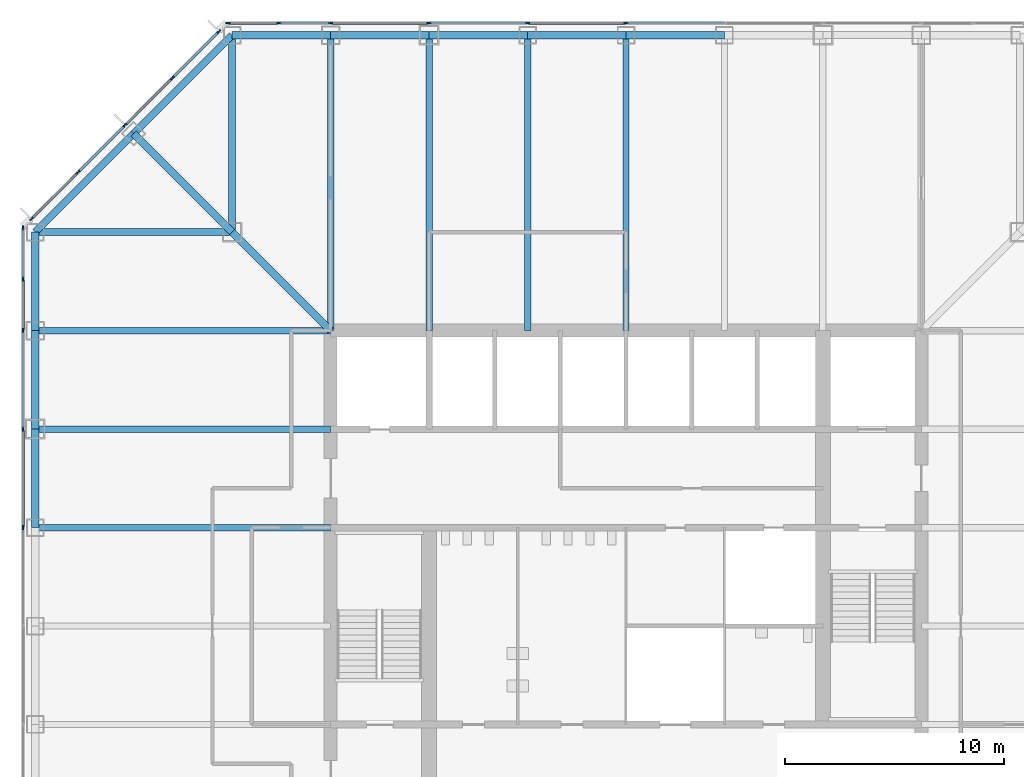
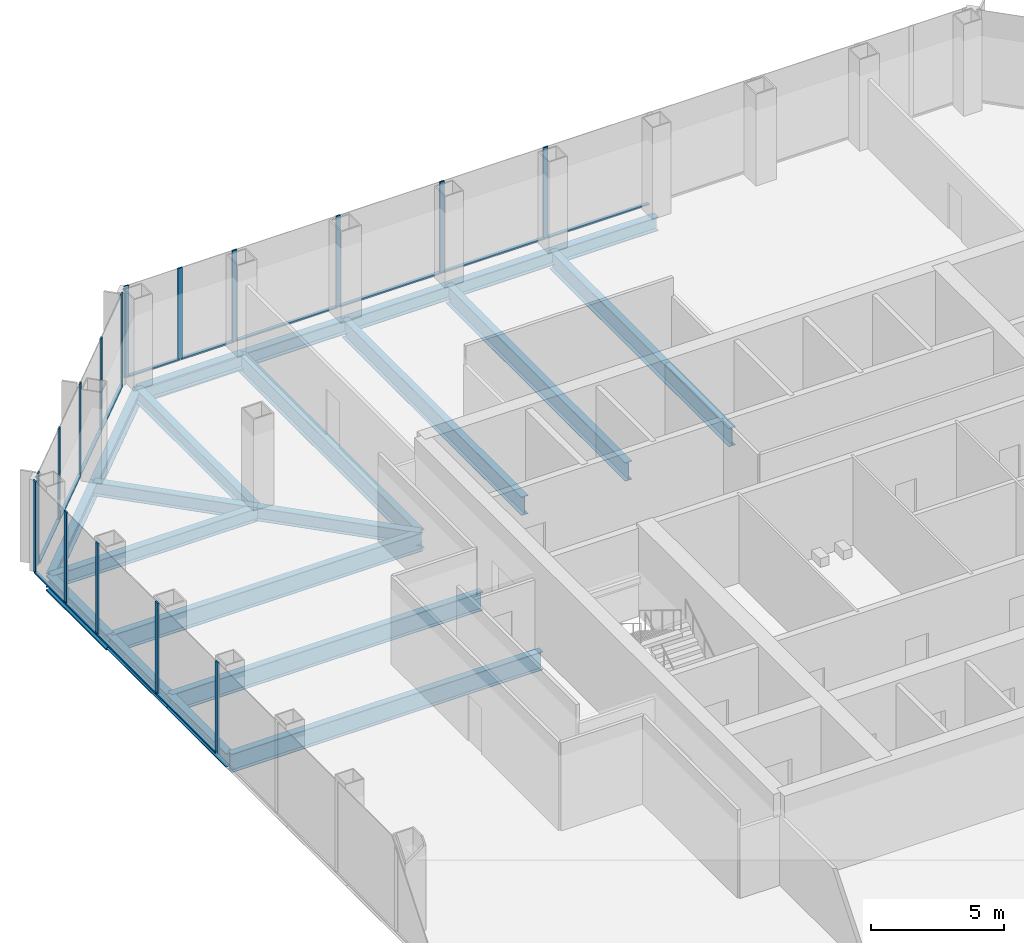
# One storey, part 5 of 12: 30 members, 21 beams, 3 elements without a shape of their own.
"""IFC4 building model written with IfcOpenShell, lengths in metres."""

import ifcopenshell
import ifcopenshell.guid

model = None  # the IFC model being written
_history = None  # IfcOwnerHistory: only IFC2X3 demands one
_inside = {}  # id of a spatial element -> (the spatial element, [elements in it])
_under = {}  # id of a project, library or spatial element -> (it, [spatial elements below it])
_declared = {}  # id of a project -> (the project, [libraries it declares])
_typed = {}  # id of a type object -> (the type object, [elements of that type])
_made_of = {}  # id of a material, layer set ... -> (it, [elements and type objects made of it])


def new_model(schema):
    """Start an empty IFC model of exactly this schema.

    Asked for "IFC4X3", IfcOpenShell would pick the latest addendum, in which some entities
    have other attributes; the version numbers below select the first issue.
    IFC2X3 requires an IfcOwnerHistory on every rooted entity: one is made here for all.
    """
    global model, _history
    if schema == "IFC4X3":
        model = ifcopenshell.file(schema_version=(4, 3, 0, 0))
    else:
        model = ifcopenshell.file(schema=schema)
    _inside.clear()
    _under.clear()
    _declared.clear()
    _typed.clear()
    _made_of.clear()
    _history = None
    if model.schema == "IFC2X3":
        org = make("IfcOrganization", Name="unknown")
        user = make(
            "IfcPersonAndOrganization",
            ThePerson=make("IfcPerson", FamilyName="unknown"),
            TheOrganization=org,
        )
        app = make(
            "IfcApplication",
            ApplicationDeveloper=org,
            Version="unknown",
            ApplicationFullName="unknown",
            ApplicationIdentifier="unknown",
        )
        _history = make(
            "IfcOwnerHistory",
            OwningUser=user,
            OwningApplication=app,
            ChangeAction="ADDED",
            CreationDate=0,
        )
    return model


def make(cls, **values):
    """One entity of the class cls with the attributes given. An attribute that is None is left unset."""
    return model.create_entity(
        cls, **{name: value for name, value in values.items() if value is not None}
    )


def rooted(cls, **values):
    """An entity with a GlobalId (a new one), such as an element, a storey or a relation."""
    return make(cls, GlobalId=ifcopenshell.guid.new(), OwnerHistory=_history, **values)


def si_unit(unit_type, name, prefix=None):
    """IfcSIUnit, for example si_unit("LENGTHUNIT", "METRE", prefix="MILLI")."""
    return make("IfcSIUnit", UnitType=unit_type, Prefix=prefix, Name=name)


def assignment(units):
    """IfcUnitAssignment: the units of a project."""
    return None if units is None else make("IfcUnitAssignment", Units=units)


def point(xyz):
    """IfcCartesianPoint."""
    return None if xyz is None else make("IfcCartesianPoint", Coordinates=xyz)


def direction(xyz):
    """IfcDirection."""
    return None if xyz is None else make("IfcDirection", DirectionRatios=xyz)


def frame(location, z_axis=None, x_axis=None):
    """IfcAxis2Placement3D, a coordinate frame: its origin and axes. An axis left out is left unset."""
    return make(
        "IfcAxis2Placement3D",
        Location=point(location),
        Axis=direction(z_axis),
        RefDirection=direction(x_axis),
    )


def frame_2d(location, x_axis=None):
    """IfcAxis2Placement2D, a coordinate frame in the plane: its origin and x axis."""
    return make(
        "IfcAxis2Placement2D", Location=point(location), RefDirection=direction(x_axis)
    )


def origin():
    """The frame at (0, 0, 0) with its axes left unset."""
    return frame((0.0, 0.0, 0.0))


def origin_2d():
    """The frame at (0, 0) in the plane with its x axis left unset."""
    return frame_2d((0.0, 0.0))


def place(relative_to, where):
    """IfcLocalPlacement: puts the frame where relative to a parent placement (None: the world)."""
    return make(
        "IfcLocalPlacement", PlacementRelTo=relative_to, RelativePlacement=where
    )


def context(
    kind, dimensions, precision=None, world=None, true_north=None, identifier=None
):
    """IfcGeometricRepresentationContext, for example the 3D "Model" context."""
    return make(
        "IfcGeometricRepresentationContext",
        ContextIdentifier=identifier,
        ContextType=kind,
        CoordinateSpaceDimension=dimensions,
        Precision=precision,
        WorldCoordinateSystem=world,
        TrueNorth=true_north,
    )


def subcontext(parent, identifier, kind, view, scale=None):
    """IfcGeometricRepresentationSubContext, for example "Body" below "Model"."""
    return make(
        "IfcGeometricRepresentationSubContext",
        ContextIdentifier=identifier,
        ContextType=kind,
        ParentContext=parent,
        TargetScale=scale,
        TargetView=view,
    )


def project(units=None, contexts=None):
    """IfcProject with its units and contexts."""
    return rooted(
        "IfcProject",
        Name="project",
        RepresentationContexts=contexts,
        UnitsInContext=assignment(units),
    )


def spatial(cls, under=None, at=None, **own):
    """A site, building, storey or space (cls), placed at a placement, below another one or the project."""
    s = rooted(cls, ObjectPlacement=at, **own)
    if under is not None:
        _under.setdefault(under.id(), (under, []))[1].append(s)
    return s


def profile(cls, at=None, kind="AREA", **sizes):
    """A parametric profile (cls). Its sizes go by their IFC names, for example OverallWidth=200.0."""
    return make(cls, ProfileType=kind, Position=at, **sizes)


def rectangle(**sizes):
    """IfcRectangleProfileDef."""
    return profile("IfcRectangleProfileDef", **sizes)


def i_section(**sizes):
    """IfcIShapeProfileDef."""
    return profile("IfcIShapeProfileDef", **sizes)


def extrude(swept, where, along, depth):
    """IfcExtrudedAreaSolid: the profile swept, set in the frame where, extruded along a direction by depth."""
    return make(
        "IfcExtrudedAreaSolid",
        SweptArea=swept,
        Position=where,
        ExtrudedDirection=direction(along),
        Depth=depth,
    )


def shape(context_of_items, identifier, shape_type, items):
    """IfcShapeRepresentation: the items that make up one representation, for example the "Body"."""
    return make(
        "IfcShapeRepresentation",
        ContextOfItems=context_of_items,
        RepresentationIdentifier=identifier,
        RepresentationType=shape_type,
        Items=items,
    )


def material(Name=None, Category=None):
    """IfcMaterial."""
    return make("IfcMaterial", Name=Name, Category=Category)


def material_profile(
    of_material, cross_section, Name=None, Category=None, Priority=None
):
    """IfcMaterialProfile: a cross section and its material."""
    return make(
        "IfcMaterialProfile",
        Name=Name,
        Material=of_material,
        Profile=cross_section,
        Priority=Priority,
        Category=Category,
    )


def profile_set(profiles, Name=None, composite=None):
    """IfcMaterialProfileSet."""
    return make(
        "IfcMaterialProfileSet",
        Name=Name,
        MaterialProfiles=profiles,
        CompositeProfile=composite,
    )


def made_of(thing, what):
    """Note that an element or type object is made of a material, layer set ...; save() writes the relation."""
    if what is not None:
        _made_of.setdefault(what.id(), (what, []))[1].append(thing)
    return thing


def type_object(cls, material=None, **own):
    """A type object (cls), such as IfcWallType, which elements share."""
    return made_of(rooted(cls, **own), material)


def element(
    cls,
    number,
    at=None,
    inside=None,
    cuts=None,
    type_object=None,
    material=None,
    context=None,
    identifier="Body",
    shape_type=None,
    held_by="IfcProductDefinitionShape",
    body=None,
    shapes=None,
    **own,
):
    """One element of the class cls, such as IfcWall. Its Tag is "e" and its number.

    at: its placement. inside: the storey or other place that contains it. cuts: it is an
    opening in that element (IfcRelVoidsElement). A single representation is given by context,
    identifier, shape_type and body (its items); several are given by shapes. held_by: the class
    of the entity that holds the representations. save() writes the other relations.
    """
    e = rooted(cls, Tag="e%d" % number, ObjectPlacement=at, **own)
    if body is not None:
        shapes = [shape(context, identifier, shape_type, body)]
    if shapes is not None:
        e.Representation = make(held_by, Representations=shapes)
    if inside is not None:
        _inside.setdefault(inside.id(), (inside, []))[1].append(e)
    if cuts is not None:
        rooted(
            "IfcRelVoidsElement", RelatingBuildingElement=cuts, RelatedOpeningElement=e
        )
    if type_object is not None:
        _typed.setdefault(type_object.id(), (type_object, []))[1].append(e)
    return made_of(e, material)


def aggregate(whole, parts):
    """IfcRelAggregates: a whole, such as a stair, and the parts it consists of."""
    return rooted("IfcRelAggregates", RelatingObject=whole, RelatedObjects=parts)


def save(model, path):
    """Write the relations noted so far, then the file.

    IfcRelAggregates (storeys below a building ...), IfcRelContainedInSpatialStructure (elements
    in a storey), IfcRelDefinesByType, IfcRelAssociatesMaterial and IfcRelDeclares: one each for
    every whole, place, type object, material and project.
    """
    for whole, parts in _under.values():
        aggregate(whole, parts)
    for where, things in _inside.values():
        rooted(
            "IfcRelContainedInSpatialStructure",
            RelatedElements=things,
            RelatingStructure=where,
        )
    for kind, things in _typed.values():
        rooted("IfcRelDefinesByType", RelatedObjects=things, RelatingType=kind)
    for what, things in _made_of.values():
        rooted("IfcRelAssociatesMaterial", RelatedObjects=things, RelatingMaterial=what)
    for by, libraries in _declared.values():
        rooted("IfcRelDeclares", RelatingContext=by, RelatedDefinitions=libraries)
    model.write(path)


model = new_model("IFC4")

# Units and contexts
model_context = context("Model", 3, precision=1e-05, world=origin(), true_north=direction((0.0, 1.0)))
body_context = subcontext(model_context, "Body", "Model", "MODEL_VIEW")
ifc_project = project(units=[si_unit("LENGTHUNIT", "METRE"), si_unit("AREAUNIT", "SQUARE_METRE"), si_unit("VOLUMEUNIT", "CUBIC_METRE"), si_unit("PLANEANGLEUNIT", "RADIAN"), si_unit("MASSUNIT", "GRAM", prefix="KILO")], contexts=[model_context])

# Site, building, storey
site_placement = place(None, origin())
site = spatial("IfcSite", under=ifc_project, at=site_placement, CompositionType="ELEMENT")
building_placement = place(site_placement, origin())
building = spatial("IfcBuilding", under=site, at=building_placement, Name="Corais Broadcast Tower", CompositionType="ELEMENT")
storey_placement = place(building_placement, frame((0.0, 0.0, 75.199951171875)))
storey = spatial("IfcBuildingStorey", under=building, at=storey_placement, Name="L16", CompositionType="ELEMENT", Elevation=75.199951171875)

# Beams
ifc_material_1 = material(Name="Steel ASTM A572 Grade 50", Category="steel")
ifc_material_profile_1 = material_profile(ifc_material_1, i_section(OverallWidth=0.323974609375, OverallDepth=0.611083984375, WebThickness=0.0126953125, FlangeThickness=0.01904296875, at=origin_2d()), Name="W610x155")
ifc_profile_set_1 = profile_set([ifc_material_profile_1], Name="Steel ASTM A572 Grade 50")
beam_type_1 = type_object("IfcBeamType", Name="Chamfer tie W610x155", PredefinedType="BEAM", material=ifc_profile_set_1)
beam_1_placement = place(storey_placement, frame((4.5, 49.5, -0.46533203125), z_axis=(0.707106781187, -0.707106781187, 0.0), x_axis=(0.707106781187, 0.707106781187, 0.0)))
element("IfcBeam", 1, at=beam_1_placement, inside=storey, type_object=beam_type_1, Name="B5 M/4 to L/5", PredefinedType="BEAM", context=body_context, shape_type="SweptSolid", body=[
    extrude(i_section(OverallWidth=0.323974609375, OverallDepth=0.611083984375, WebThickness=0.0126953125, FlangeThickness=0.01904296875, at=origin_2d()), origin(), (0.0, 0.0, 1.0), 6.364013671875),
])
ifc_material_2 = material(Name="Steel ASTM A572 Grade 50", Category="steel")
ifc_material_profile_2 = material_profile(ifc_material_2, i_section(OverallWidth=0.323974609375, OverallDepth=0.611083984375, WebThickness=0.0126953125, FlangeThickness=0.01904296875, at=origin_2d()), Name="W610x155")
ifc_profile_set_2 = profile_set([ifc_material_profile_2], Name="Steel ASTM A572 Grade 50")
beam_type_2 = type_object("IfcBeamType", Name="Corner diagonal W610x155", PredefinedType="BEAM", material=ifc_profile_set_2)
beam_2_placement = place(storey_placement, frame((9.0, 45.0, -0.46533203125), z_axis=(0.707106781187, -0.707106781187, 0.0), x_axis=(0.707106781187, 0.707106781187, 0.0)))
element("IfcBeam", 2, at=beam_2_placement, inside=storey, type_object=beam_type_2, Name="B6 L/5 to K/6", PredefinedType="BEAM", context=body_context, shape_type="SweptSolid", body=[
    extrude(i_section(OverallWidth=0.323974609375, OverallDepth=0.611083984375, WebThickness=0.0126953125, FlangeThickness=0.01904296875, at=origin_2d()), origin(), (0.0, 0.0, 1.0), 6.364013671875),
])
ifc_material_3 = material(Name="Steel ASTM A572 Grade 50", Category="steel")
ifc_material_profile_3 = material_profile(ifc_material_3, i_section(OverallWidth=0.323974609375, OverallDepth=0.611083984375, WebThickness=0.0126953125, FlangeThickness=0.01904296875, at=origin_2d()), Name="W610x155")
ifc_profile_set_3 = profile_set([ifc_material_profile_3], Name="Steel ASTM A572 Grade 50")
beam_type_3 = type_object("IfcBeamType", Name="Corner girder W610x155", PredefinedType="BEAM", material=ifc_profile_set_3)
for number, where, z_axis, x_axis, name in (
    (3, (0.0, 45.0, -0.46533203125), (1.0, 0.0, 0.0), (0.0, 1.0, 0.0), "B4 L/3 to L/5"),
    (4, (9.0, 54.0, -0.46533203125), (0.0, -1.0, 0.0), (1.0, 0.0, 0.0), "B4 N/5 to L/5"),
):
    element("IfcBeam", number, at=place(storey_placement, frame(where, z_axis=z_axis, x_axis=x_axis)), inside=storey, type_object=beam_type_3, Name=name, PredefinedType="BEAM", context=body_context, shape_type="SweptSolid", body=[
        extrude(i_section(OverallWidth=0.323974609375, OverallDepth=0.611083984375, WebThickness=0.0126953125, FlangeThickness=0.01904296875, at=origin_2d()), origin(), (0.0, 0.0, 1.0), 9.0),
    ])
ifc_material_4 = material(Name="Steel ASTM A913 Grade 65", Category="steel")
ifc_material_profile_4 = material_profile(ifc_material_4, i_section(OverallWidth=0.347900390625, OverallDepth=0.7109375, WebThickness=0.03857421875, FlangeThickness=0.069091796875, at=origin_2d()), Name="W610x551")
ifc_profile_set_4 = profile_set([ifc_material_profile_4], Name="Steel ASTM A913 Grade 65")
beam_type_4 = type_object("IfcBeamType", Name="Corner spandrel W610x551", PredefinedType="BEAM", material=ifc_profile_set_4)
for number, where, z_axis, x_axis, name in (
    (5, (0.0, 45.0, -0.515380859375), (0.0, -1.0, 0.0), (1.0, 0.0, 0.0), "SB11 L/3 to K/3"),
    (6, (13.5, 54.0, -0.515380859375), (-1.0, 0.0, 0.0), (0.0, -1.0, 0.0), "SB11 N/6 to N/5"),
):
    element("IfcBeam", number, at=place(storey_placement, frame(where, z_axis=z_axis, x_axis=x_axis)), inside=storey, type_object=beam_type_4, Name=name, PredefinedType="BEAM", context=body_context, shape_type="SweptSolid", body=[
        extrude(i_section(OverallWidth=0.347900390625, OverallDepth=0.7109375, WebThickness=0.03857421875, FlangeThickness=0.069091796875, at=origin_2d()), origin(), (0.0, 0.0, 1.0), 4.5),
    ])
ifc_material_5 = material(Name="Steel ASTM A572 Grade 50", Category="steel")
ifc_material_profile_5 = material_profile(ifc_material_5, i_section(OverallWidth=0.2939453125, OverallDepth=0.85107421875, WebThickness=0.01611328125, FlangeThickness=0.02685546875, at=origin_2d()), Name="W840x226")
ifc_profile_set_5 = profile_set([ifc_material_profile_5], Name="Steel ASTM A572 Grade 50")
beam_type_5 = type_object("IfcBeamType", Name="Floor beam W840x226", PredefinedType="BEAM", material=ifc_profile_set_5)
for number, where, z_axis, x_axis, name in (
    (7, (0.0, 31.5, -0.58544921875), (1.0, 0.0, 0.0), (0.0, 1.0, 0.0), "B1 H/3 to H/6"),
    (8, (0.0, 36.0, -0.58544921875), (1.0, 0.0, 0.0), (0.0, 1.0, 0.0), "B1 J/3 to J/6"),
    (9, (0.0, 40.5, -0.58544921875), (1.0, 0.0, 0.0), (0.0, 1.0, 0.0), "B1 K/3 to K/6"),
    (10, (13.5, 54.0, -0.58544921875), (0.0, -1.0, 0.0), (1.0, 0.0, 0.0), "B1 N/6 to K/6"),
    (11, (18.0, 54.0, -0.58544921875), (0.0, -1.0, 0.0), (1.0, 0.0, 0.0), "B1 N/7 to K/7"),
    (12, (22.5, 54.0, -0.58544921875), (0.0, -1.0, 0.0), (1.0, 0.0, 0.0), "B1 N/8 to K/8"),
    (13, (27.0, 54.0, -0.58544921875), (0.0, -1.0, 0.0), (1.0, 0.0, 0.0), "B1 N/9 to K/9"),
):
    element("IfcBeam", number, at=place(storey_placement, frame(where, z_axis=z_axis, x_axis=x_axis)), inside=storey, type_object=beam_type_5, Name=name, PredefinedType="BEAM", context=body_context, shape_type="SweptSolid", body=[
        extrude(i_section(OverallWidth=0.2939453125, OverallDepth=0.85107421875, WebThickness=0.01611328125, FlangeThickness=0.02685546875, at=origin_2d()), origin(), (0.0, 0.0, 1.0), 13.5),
    ])

# Curtain wall, members
ifc_material_6 = material(Name="Aluminium and glass", Category="aluminium")
curtain_wall_type = type_object("IfcCurtainWallType", Name="Unitised fritted curtain wall CW1", PredefinedType="NOTDEFINED", material=ifc_material_6)
curtain_wall_1_placement = place(storey_placement, origin())
curtain_wall_1 = element("IfcCurtainWall", 14, at=curtain_wall_1_placement, inside=storey, type_object=curtain_wall_type, Name="CW1 curtain wall L16 2", PredefinedType="NOTDEFINED")
ifc_material_7 = material(Name="Aluminium 6063-T6", Category="aluminium")
ifc_material_profile_6 = material_profile(ifc_material_7, rectangle(XDim=0.06494140625, YDim=0.199951171875, at=origin_2d()), Name="Mullion CW1 65x200")
ifc_profile_set_6 = profile_set([ifc_material_profile_6], Name="Aluminium 6063-T6")
member_type_1 = type_object("IfcMemberType", Name="Mullion CW1 65x200", PredefinedType="MULLION", material=ifc_profile_set_6)
member_1_placement = place(storey_placement, frame((-0.550048828125, 31.5, 0.0), z_axis=(0.0, 0.0, 1.0), x_axis=(-1.0, 0.0, 0.0)))
member_1 = element("IfcMember", 15, at=member_1_placement, type_object=member_type_1, Name="CW1 mullion 7", PredefinedType="MULLION", context=body_context, shape_type="SweptSolid", body=[
    extrude(rectangle(XDim=0.06494140625, YDim=0.199951171875, at=origin_2d()), origin(), (0.0, 0.0, 1.0), 4.199951171875),
])
member_2_placement = place(storey_placement, frame((-0.550048828125, 36.0, 0.0), z_axis=(0.0, 0.0, 1.0), x_axis=(-1.0, 0.0, 0.0)))
member_2 = element("IfcMember", 16, at=member_2_placement, type_object=member_type_1, Name="CW1 mullion 8", PredefinedType="MULLION", context=body_context, shape_type="SweptSolid", body=[
    extrude(rectangle(XDim=0.06494140625, YDim=0.199951171875, at=origin_2d()), origin(), (0.0, 0.0, 1.0), 4.199951171875),
])
member_3_placement = place(storey_placement, frame((-0.550048828125, 40.5, 0.0), z_axis=(0.0, 0.0, 1.0), x_axis=(-1.0, 0.0, 0.0)))
member_3 = element("IfcMember", 17, at=member_3_placement, type_object=member_type_1, Name="CW1 mullion 9", PredefinedType="MULLION", context=body_context, shape_type="SweptSolid", body=[
    extrude(rectangle(XDim=0.06494140625, YDim=0.199951171875, at=origin_2d()), origin(), (0.0, 0.0, 1.0), 4.199951171875),
])
member_4_placement = place(storey_placement, frame((-0.550048828125, 42.864013671875, 0.0), z_axis=(0.0, 0.0, 1.0), x_axis=(-1.0, 0.0, 0.0)))
member_4 = element("IfcMember", 18, at=member_4_placement, type_object=member_type_1, Name="CW1 mullion 10", PredefinedType="MULLION", context=body_context, shape_type="SweptSolid", body=[
    extrude(rectangle(XDim=0.06494140625, YDim=0.199951171875, at=origin_2d()), origin(), (0.0, 0.0, 1.0), 4.199951171875),
])
member_5_placement = place(storey_placement, frame((-0.550048828125, 45.1953125, 0.0), z_axis=(0.0, 0.0, 1.0), x_axis=(-1.0, 0.0, 0.0)))
member_5 = element("IfcMember", 19, at=member_5_placement, type_object=member_type_1, Name="CW1 mullion 11", PredefinedType="MULLION", context=body_context, shape_type="SweptSolid", body=[
    extrude(rectangle(XDim=0.06494140625, YDim=0.199951171875, at=origin_2d()), origin(), (0.0, 0.0, 1.0), 4.199951171875),
])

curtain_wall_2_placement = place(storey_placement, origin())
curtain_wall_2 = element("IfcCurtainWall", 20, at=curtain_wall_2_placement, inside=storey, type_object=curtain_wall_type, Name="CW1 curtain wall L16 3", PredefinedType="NOTDEFINED")
member_6_placement = place(storey_placement, frame((-0.17333984375, 45.6044921875, 0.0), z_axis=(0.0, 0.0, 1.0), x_axis=(-0.707106781187, 0.707106781187, 0.0)))
member_6 = element("IfcMember", 21, at=member_6_placement, type_object=member_type_1, Name="CW1 mullion 1", PredefinedType="MULLION", context=body_context, shape_type="SweptSolid", body=[
    extrude(rectangle(XDim=0.06494140625, YDim=0.199951171875, at=origin_2d()), origin(), (0.0, 0.0, 1.0), 4.199951171875),
])
member_7_placement = place(storey_placement, frame((1.957275390625, 47.735107421875, 0.0), z_axis=(0.0, 0.0, 1.0), x_axis=(-0.707106781187, 0.707106781187, 0.0)))
member_7 = element("IfcMember", 22, at=member_7_placement, type_object=member_type_1, Name="CW1 mullion 2", PredefinedType="MULLION", context=body_context, shape_type="SweptSolid", body=[
    extrude(rectangle(XDim=0.06494140625, YDim=0.199951171875, at=origin_2d()), origin(), (0.0, 0.0, 1.0), 4.199951171875),
])
member_8_placement = place(storey_placement, frame((4.111083984375, 49.888916015625, 0.0), z_axis=(0.0, 0.0, 1.0), x_axis=(-0.707106781187, 0.707106781187, 0.0)))
member_8 = element("IfcMember", 23, at=member_8_placement, type_object=member_type_1, Name="CW1 mullion 3", PredefinedType="MULLION", context=body_context, shape_type="SweptSolid", body=[
    extrude(rectangle(XDim=0.06494140625, YDim=0.199951171875, at=origin_2d()), origin(), (0.0, 0.0, 1.0), 4.199951171875),
])
member_9_placement = place(storey_placement, frame((6.264892578125, 52.042724609375, 0.0), z_axis=(0.0, 0.0, 1.0), x_axis=(-0.707106781187, 0.707106781187, 0.0)))
member_9 = element("IfcMember", 24, at=member_9_placement, type_object=member_type_1, Name="CW1 mullion 4", PredefinedType="MULLION", context=body_context, shape_type="SweptSolid", body=[
    extrude(rectangle(XDim=0.06494140625, YDim=0.199951171875, at=origin_2d()), origin(), (0.0, 0.0, 1.0), 4.199951171875),
])
member_10_placement = place(storey_placement, frame((8.3955078125, 54.17333984375, 0.0), z_axis=(0.0, 0.0, 1.0), x_axis=(-0.707106781187, 0.707106781187, 0.0)))
member_10 = element("IfcMember", 25, at=member_10_placement, type_object=member_type_1, Name="CW1 mullion 5", PredefinedType="MULLION", context=body_context, shape_type="SweptSolid", body=[
    extrude(rectangle(XDim=0.06494140625, YDim=0.199951171875, at=origin_2d()), origin(), (0.0, 0.0, 1.0), 4.199951171875),
])

curtain_wall_3_placement = place(storey_placement, origin())
curtain_wall_3 = element("IfcCurtainWall", 26, at=curtain_wall_3_placement, inside=storey, type_object=curtain_wall_type, Name="CW1 curtain wall L16 4", PredefinedType="NOTDEFINED")
member_11_placement = place(storey_placement, frame((8.8046875, 54.550048828125, 0.0), z_axis=(0.0, 0.0, 1.0), x_axis=(0.0, 1.0, 0.0)))
member_11 = element("IfcMember", 27, at=member_11_placement, type_object=member_type_1, Name="CW1 mullion 1", PredefinedType="MULLION", context=body_context, shape_type="SweptSolid", body=[
    extrude(rectangle(XDim=0.06494140625, YDim=0.199951171875, at=origin_2d()), origin(), (0.0, 0.0, 1.0), 4.199951171875),
])
member_12_placement = place(storey_placement, frame((11.135986328125, 54.550048828125, 0.0), z_axis=(0.0, 0.0, 1.0), x_axis=(0.0, 1.0, 0.0)))
member_12 = element("IfcMember", 28, at=member_12_placement, type_object=member_type_1, Name="CW1 mullion 2", PredefinedType="MULLION", context=body_context, shape_type="SweptSolid", body=[
    extrude(rectangle(XDim=0.06494140625, YDim=0.199951171875, at=origin_2d()), origin(), (0.0, 0.0, 1.0), 4.199951171875),
])
member_13_placement = place(storey_placement, frame((13.5, 54.550048828125, 0.0), z_axis=(0.0, 0.0, 1.0), x_axis=(0.0, 1.0, 0.0)))
member_13 = element("IfcMember", 29, at=member_13_placement, type_object=member_type_1, Name="CW1 mullion 3", PredefinedType="MULLION", context=body_context, shape_type="SweptSolid", body=[
    extrude(rectangle(XDim=0.06494140625, YDim=0.199951171875, at=origin_2d()), origin(), (0.0, 0.0, 1.0), 4.199951171875),
])
member_14_placement = place(storey_placement, frame((18.0, 54.550048828125, 0.0), z_axis=(0.0, 0.0, 1.0), x_axis=(0.0, 1.0, 0.0)))
member_14 = element("IfcMember", 30, at=member_14_placement, type_object=member_type_1, Name="CW1 mullion 4", PredefinedType="MULLION", context=body_context, shape_type="SweptSolid", body=[
    extrude(rectangle(XDim=0.06494140625, YDim=0.199951171875, at=origin_2d()), origin(), (0.0, 0.0, 1.0), 4.199951171875),
])
member_15_placement = place(storey_placement, frame((22.5, 54.550048828125, 0.0), z_axis=(0.0, 0.0, 1.0), x_axis=(0.0, 1.0, 0.0)))
member_15 = element("IfcMember", 31, at=member_15_placement, type_object=member_type_1, Name="CW1 mullion 5", PredefinedType="MULLION", context=body_context, shape_type="SweptSolid", body=[
    extrude(rectangle(XDim=0.06494140625, YDim=0.199951171875, at=origin_2d()), origin(), (0.0, 0.0, 1.0), 4.199951171875),
])
member_16_placement = place(storey_placement, frame((27.0, 54.550048828125, 0.0), z_axis=(0.0, 0.0, 1.0), x_axis=(0.0, 1.0, 0.0)))
member_16 = element("IfcMember", 32, at=member_16_placement, type_object=member_type_1, Name="CW1 mullion 6", PredefinedType="MULLION", context=body_context, shape_type="SweptSolid", body=[
    extrude(rectangle(XDim=0.06494140625, YDim=0.199951171875, at=origin_2d()), origin(), (0.0, 0.0, 1.0), 4.199951171875),
])

# Beams
ifc_material_8 = material(Name="Steel ASTM A572 Grade 50", Category="steel")
ifc_material_profile_7 = material_profile(ifc_material_8, i_section(OverallWidth=0.3291015625, OverallDepth=0.635009765625, WebThickness=0.017822265625, FlangeThickness=0.031005859375, at=origin_2d()), Name="W610x241")
ifc_profile_set_7 = profile_set([ifc_material_profile_7], Name="Steel ASTM A572 Grade 50")
beam_type_6 = type_object("IfcBeamType", Name="Spandrel W610x241", PredefinedType="BEAM", material=ifc_profile_set_7)
for number, where, z_axis, x_axis, name in (
    (33, (0.0, 36.0, -0.4775390625), (0.0, -1.0, 0.0), (1.0, 0.0, 0.0), "SB1 J/3 to H/3"),
    (34, (0.0, 40.5, -0.4775390625), (0.0, -1.0, 0.0), (1.0, 0.0, 0.0), "SB1 K/3 to J/3"),
    (35, (18.0, 54.0, -0.4775390625), (-1.0, 0.0, 0.0), (0.0, -1.0, 0.0), "SB1 N/7 to N/6"),
    (36, (22.5, 54.0, -0.4775390625), (-1.0, 0.0, 0.0), (0.0, -1.0, 0.0), "SB1 N/8 to N/7"),
    (37, (27.0, 54.0, -0.4775390625), (-1.0, 0.0, 0.0), (0.0, -1.0, 0.0), "SB1 N/9 to N/8"),
    (38, (31.5, 54.0, -0.4775390625), (-1.0, 0.0, 0.0), (0.0, -1.0, 0.0), "SB1 N/10 to N/9"),
):
    element("IfcBeam", number, at=place(storey_placement, frame(where, z_axis=z_axis, x_axis=x_axis)), inside=storey, type_object=beam_type_6, Name=name, PredefinedType="BEAM", context=body_context, shape_type="SweptSolid", body=[
        extrude(i_section(OverallWidth=0.3291015625, OverallDepth=0.635009765625, WebThickness=0.017822265625, FlangeThickness=0.031005859375, at=origin_2d()), origin(), (0.0, 0.0, 1.0), 4.5),
    ])
for number, where, z_axis, x_axis, name in (
    (39, (4.5, 49.5, -0.4775390625), (-0.707106781187, -0.707106781187, 0.0), (0.707106781187, -0.707106781187, 0.0), "SB1 M/4 to L/3"),
    (40, (9.0, 54.0, -0.4775390625), (-0.707106781187, -0.707106781187, 0.0), (0.707106781187, -0.707106781187, 0.0), "SB1 N/5 to M/4"),
):
    element("IfcBeam", number, at=place(storey_placement, frame(where, z_axis=z_axis, x_axis=x_axis)), inside=storey, type_object=beam_type_6, Name=name, PredefinedType="BEAM", context=body_context, shape_type="SweptSolid", body=[
        extrude(i_section(OverallWidth=0.3291015625, OverallDepth=0.635009765625, WebThickness=0.017822265625, FlangeThickness=0.031005859375, at=origin_2d()), origin(), (0.0, 0.0, 1.0), 6.364013671875),
    ])

# Member
ifc_material_9 = material(Name="Aluminium 6063-T6", Category="aluminium")
ifc_material_profile_8 = material_profile(ifc_material_9, rectangle(XDim=0.139892578125, YDim=0.06494140625, at=origin_2d()), Name="Transom CW1 65x140")
ifc_profile_set_8 = profile_set([ifc_material_profile_8], Name="Aluminium 6063-T6")
member_type_2 = type_object("IfcMemberType", Name="Transom CW1 65x140", PredefinedType="USERDEFINED", material=ifc_profile_set_8)
member_17_placement = place(storey_placement, frame((-0.550048828125, 31.532470703125, 0.032470703125), z_axis=(0.0, 1.0, 0.0), x_axis=(-1.0, 0.0, 0.0)))
member_17 = element("IfcMember", 41, at=member_17_placement, type_object=member_type_2, Name="CW1 transom 7.1", ObjectType="TRANSOM", PredefinedType="USERDEFINED", context=body_context, shape_type="SweptSolid", body=[
    extrude(rectangle(XDim=0.139892578125, YDim=0.06494140625, at=origin_2d()), origin(), (0.0, 0.0, 1.0), 4.43505859375),
])

member_18_placement = place(storey_placement, frame((-0.550048828125, 36.032470703125, 0.032470703125), z_axis=(0.0, 1.0, 0.0), x_axis=(-1.0, 0.0, 0.0)))
member_18 = element("IfcMember", 42, at=member_18_placement, type_object=member_type_2, Name="CW1 transom 8.1", ObjectType="TRANSOM", PredefinedType="USERDEFINED", context=body_context, shape_type="SweptSolid", body=[
    extrude(rectangle(XDim=0.139892578125, YDim=0.06494140625, at=origin_2d()), origin(), (0.0, 0.0, 1.0), 4.43505859375),
])

member_19_placement = place(storey_placement, frame((-0.550048828125, 40.532470703125, 0.032470703125), z_axis=(0.0, 1.0, 0.0), x_axis=(-1.0, 0.0, 0.0)))
member_19 = element("IfcMember", 43, at=member_19_placement, type_object=member_type_2, Name="CW1 transom 9.1", ObjectType="TRANSOM", PredefinedType="USERDEFINED", context=body_context, shape_type="SweptSolid", body=[
    extrude(rectangle(XDim=0.139892578125, YDim=0.06494140625, at=origin_2d()), origin(), (0.0, 0.0, 1.0), 2.298828125),
])

member_20_placement = place(storey_placement, frame((-0.550048828125, 42.896484375, 0.032470703125), z_axis=(0.0, 1.0, 0.0), x_axis=(-1.0, 0.0, 0.0)))
member_20 = element("IfcMember", 44, at=member_20_placement, type_object=member_type_2, Name="CW1 transom 10.1", ObjectType="TRANSOM", PredefinedType="USERDEFINED", context=body_context, shape_type="SweptSolid", body=[
    extrude(rectangle(XDim=0.139892578125, YDim=0.06494140625, at=origin_2d()), origin(), (0.0, 0.0, 1.0), 2.266357421875),
])

aggregate(curtain_wall_1, [member_1, member_2, member_3, member_4, member_5, member_17, member_18, member_19, member_20])

member_21_placement = place(storey_placement, frame((-0.150390625, 45.62744140625, 0.032470703125), z_axis=(0.707106781187, 0.707106781187, 0.0), x_axis=(-0.707106781187, 0.707106781187, 0.0)))
member_21 = element("IfcMember", 45, at=member_21_placement, type_object=member_type_2, Name="CW1 transom 1.1", ObjectType="TRANSOM", PredefinedType="USERDEFINED", context=body_context, shape_type="SweptSolid", body=[
    extrude(rectangle(XDim=0.139892578125, YDim=0.06494140625, at=origin_2d()), origin(), (0.0, 0.0, 1.0), 2.9482421875),
])

member_22_placement = place(storey_placement, frame((1.980224609375, 47.758056640625, 0.032470703125), z_axis=(0.707106781187, 0.707106781187, 0.0), x_axis=(-0.707106781187, 0.707106781187, 0.0)))
member_22 = element("IfcMember", 46, at=member_22_placement, type_object=member_type_2, Name="CW1 transom 2.1", ObjectType="TRANSOM", PredefinedType="USERDEFINED", context=body_context, shape_type="SweptSolid", body=[
    extrude(rectangle(XDim=0.139892578125, YDim=0.06494140625, at=origin_2d()), origin(), (0.0, 0.0, 1.0), 2.98095703125),
])

member_23_placement = place(storey_placement, frame((4.134033203125, 49.911865234375, 0.032470703125), z_axis=(0.707106781187, 0.707106781187, 0.0), x_axis=(-0.707106781187, 0.707106781187, 0.0)))
member_23 = element("IfcMember", 47, at=member_23_placement, type_object=member_type_2, Name="CW1 transom 3.1", ObjectType="TRANSOM", PredefinedType="USERDEFINED", context=body_context, shape_type="SweptSolid", body=[
    extrude(rectangle(XDim=0.139892578125, YDim=0.06494140625, at=origin_2d()), origin(), (0.0, 0.0, 1.0), 2.98095703125),
])

member_24_placement = place(storey_placement, frame((6.287841796875, 52.065673828125, 0.032470703125), z_axis=(0.707106781187, 0.707106781187, 0.0), x_axis=(-0.707106781187, 0.707106781187, 0.0)))
member_24 = element("IfcMember", 48, at=member_24_placement, type_object=member_type_2, Name="CW1 transom 4.1", ObjectType="TRANSOM", PredefinedType="USERDEFINED", context=body_context, shape_type="SweptSolid", body=[
    extrude(rectangle(XDim=0.139892578125, YDim=0.06494140625, at=origin_2d()), origin(), (0.0, 0.0, 1.0), 2.9482421875),
])

aggregate(curtain_wall_2, [member_6, member_7, member_8, member_9, member_10, member_21, member_22, member_23, member_24])

member_25_placement = place(storey_placement, frame((8.837158203125, 54.550048828125, 0.032470703125), z_axis=(1.0, 0.0, 0.0), x_axis=(0.0, 1.0, 0.0)))
member_25 = element("IfcMember", 49, at=member_25_placement, type_object=member_type_2, Name="CW1 transom 1.1", ObjectType="TRANSOM", PredefinedType="USERDEFINED", context=body_context, shape_type="SweptSolid", body=[
    extrude(rectangle(XDim=0.139892578125, YDim=0.06494140625, at=origin_2d()), origin(), (0.0, 0.0, 1.0), 2.266357421875),
])

member_26_placement = place(storey_placement, frame((11.168701171875, 54.550048828125, 0.032470703125), z_axis=(1.0, 0.0, 0.0), x_axis=(0.0, 1.0, 0.0)))
member_26 = element("IfcMember", 50, at=member_26_placement, type_object=member_type_2, Name="CW1 transom 2.1", ObjectType="TRANSOM", PredefinedType="USERDEFINED", context=body_context, shape_type="SweptSolid", body=[
    extrude(rectangle(XDim=0.139892578125, YDim=0.06494140625, at=origin_2d()), origin(), (0.0, 0.0, 1.0), 2.298828125),
])

member_27_placement = place(storey_placement, frame((13.532470703125, 54.550048828125, 0.032470703125), z_axis=(1.0, 0.0, 0.0), x_axis=(0.0, 1.0, 0.0)))
member_27 = element("IfcMember", 51, at=member_27_placement, type_object=member_type_2, Name="CW1 transom 3.1", ObjectType="TRANSOM", PredefinedType="USERDEFINED", context=body_context, shape_type="SweptSolid", body=[
    extrude(rectangle(XDim=0.139892578125, YDim=0.06494140625, at=origin_2d()), origin(), (0.0, 0.0, 1.0), 4.43505859375),
])

member_28_placement = place(storey_placement, frame((18.032470703125, 54.550048828125, 0.032470703125), z_axis=(1.0, 0.0, 0.0), x_axis=(0.0, 1.0, 0.0)))
member_28 = element("IfcMember", 52, at=member_28_placement, type_object=member_type_2, Name="CW1 transom 4.1", ObjectType="TRANSOM", PredefinedType="USERDEFINED", context=body_context, shape_type="SweptSolid", body=[
    extrude(rectangle(XDim=0.139892578125, YDim=0.06494140625, at=origin_2d()), origin(), (0.0, 0.0, 1.0), 4.43505859375),
])

member_29_placement = place(storey_placement, frame((22.532470703125, 54.550048828125, 0.032470703125), z_axis=(1.0, 0.0, 0.0), x_axis=(0.0, 1.0, 0.0)))
member_29 = element("IfcMember", 53, at=member_29_placement, type_object=member_type_2, Name="CW1 transom 5.1", ObjectType="TRANSOM", PredefinedType="USERDEFINED", context=body_context, shape_type="SweptSolid", body=[
    extrude(rectangle(XDim=0.139892578125, YDim=0.06494140625, at=origin_2d()), origin(), (0.0, 0.0, 1.0), 4.43505859375),
])

member_30_placement = place(storey_placement, frame((27.032470703125, 54.550048828125, 0.032470703125), z_axis=(1.0, 0.0, 0.0), x_axis=(0.0, 1.0, 0.0)))
member_30 = element("IfcMember", 54, at=member_30_placement, type_object=member_type_2, Name="CW1 transom 6.1", ObjectType="TRANSOM", PredefinedType="USERDEFINED", context=body_context, shape_type="SweptSolid", body=[
    extrude(rectangle(XDim=0.139892578125, YDim=0.06494140625, at=origin_2d()), origin(), (0.0, 0.0, 1.0), 4.43505859375),
])

aggregate(curtain_wall_3, [member_11, member_12, member_13, member_14, member_15, member_16, member_25, member_26, member_27, member_28, member_29, member_30])

save(model, "model.ifc")
